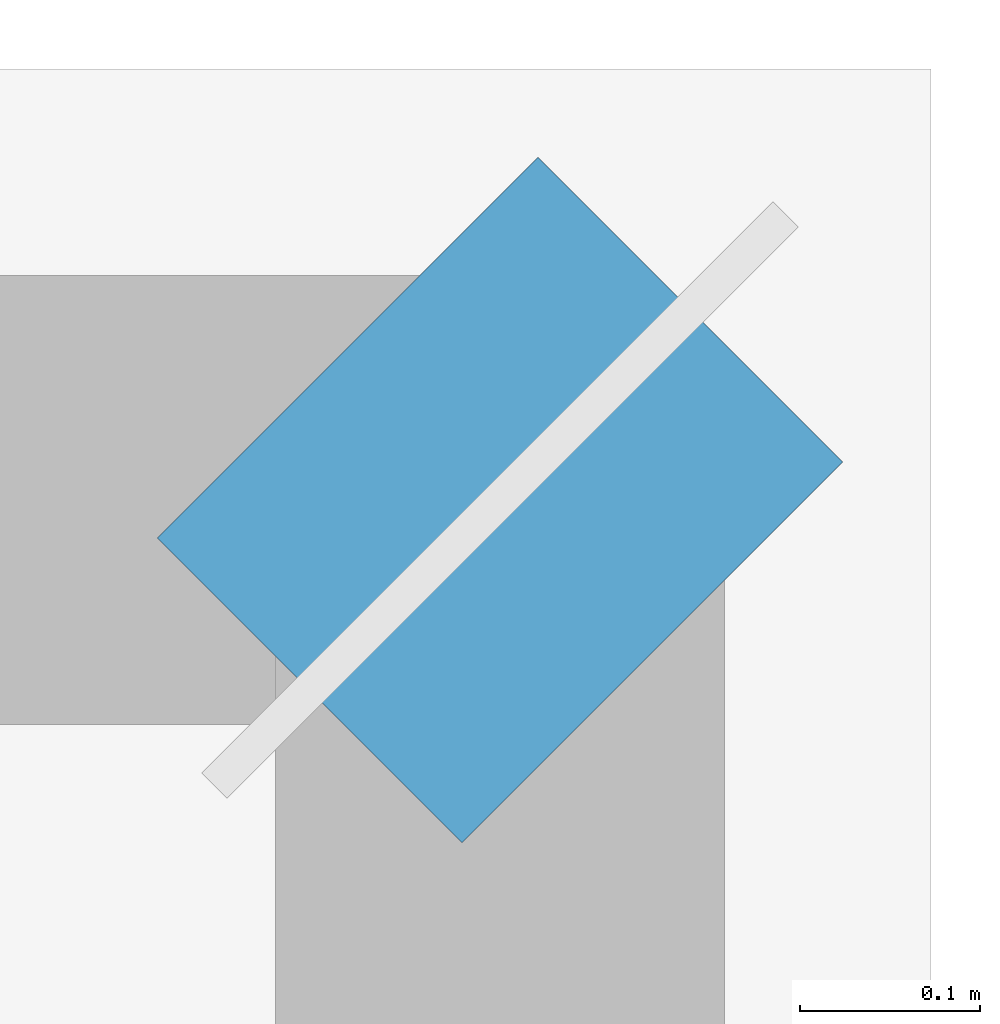
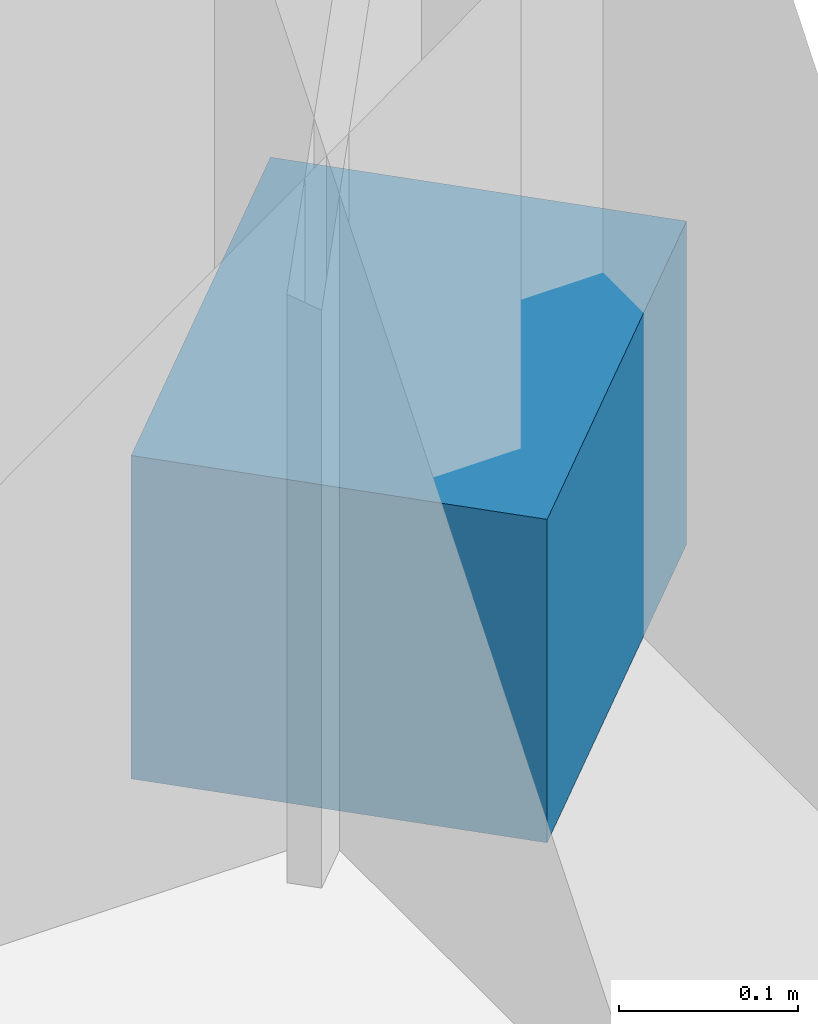
# One storey, part 37 of 41: 1 discrete accessory.
"""IFC4 building model written with IfcOpenShell, lengths in metres."""

from ifc_helpers import new_model, si_unit, direction, frame, origin, origin_2d, place, context, subcontext, project, spatial, rectangle, extrude, source, transform, mapped, material, type_object, element, save


model = new_model("IFC4")

# Units and contexts
model_context = context("Model", 3, precision=1e-05, world=origin(), true_north=direction((0.0, 1.0)))
body_context = subcontext(model_context, "Body", "Model", "MODEL_VIEW")
ifc_project = project(units=[si_unit("LENGTHUNIT", "METRE"), si_unit("AREAUNIT", "SQUARE_METRE"), si_unit("VOLUMEUNIT", "CUBIC_METRE"), si_unit("PLANEANGLEUNIT", "RADIAN"), si_unit("MASSUNIT", "GRAM", prefix="KILO")], contexts=[model_context])

# Site, building, storey
site_placement = place(None, origin())
site = spatial("IfcSite", under=ifc_project, at=site_placement, CompositionType="ELEMENT")
building_placement = place(site_placement, origin())
building = spatial("IfcBuilding", under=site, at=building_placement, Name="Nahalor Promenade Grand Hotel", CompositionType="ELEMENT")
storey_placement = place(building_placement, frame((0.0, 0.0, 113.85009765625)))
storey = spatial("IfcBuildingStorey", under=building, at=storey_placement, Name="L28", CompositionType="ELEMENT", Elevation=113.85009765625)

# Discrete accessory
ifc_material = material(Name="Steel S355JR", Category="steel")
discrete_accessory_type = type_object("IfcDiscreteAccessoryType", Name="Bracket-FacadeCleat-Bronze", PredefinedType="BRACKET", material=ifc_material)
shared_shape = source(origin(), body_context, "Body", "SweptSolid", [
    extrude(rectangle(XDim=0.300048828125, YDim=0.239990234375, at=origin_2d()), origin(), (0.0, 0.0, 1.0), 0.219970703125),
])
discrete_accessory_placement = place(storey_placement, frame((22.4599609375, 22.4599609375, 0.0), z_axis=(0.0, 0.0, 1.0), x_axis=(0.707106781187, 0.707106781187, 0.0)))
element("IfcDiscreteAccessory", 1, at=discrete_accessory_placement, inside=storey, type_object=discrete_accessory_type, Name="BK-L28-NE", PredefinedType="BRACKET", context=body_context, shape_type="MappedRepresentation", body=[
    mapped(shared_shape, transform((0.0, 0.0, 0.0), scale=1.0)),
])

save(model, "model.ifc")
